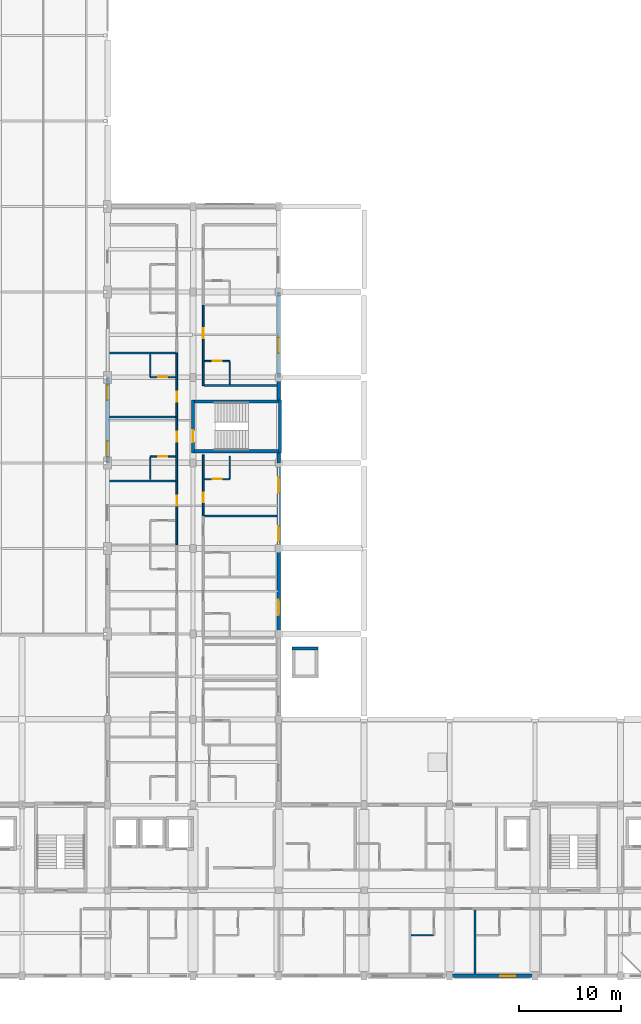
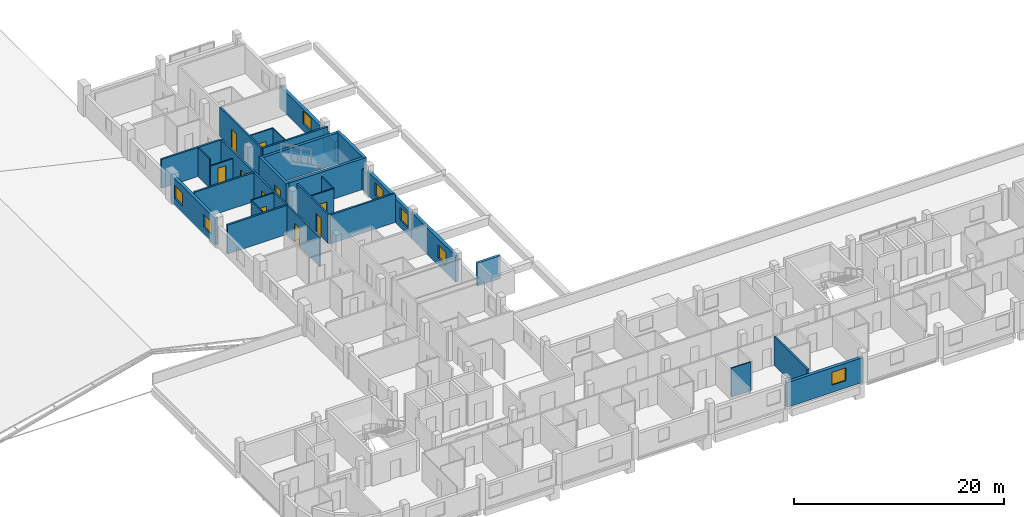
# One storey, part 31 of 42: 32 walls, 10 doors, 7 windows, 17 openings.
"""IFC4 building model written with IfcOpenShell, lengths in metres."""

from ifc_helpers import new_model, si_unit, derived_unit, direction, frame, frame_2d, origin, place, context, subcontext, project, spatial, rectangle, extrude, material, layer, layer_set, type_object, element, fill, save


model = new_model("IFC4")

# Units and contexts
model_context = context("Model", 3, precision=1e-05, world=origin(), true_north=direction((0.0, 1.0)))
body_context = subcontext(model_context, "Body", "Model", "MODEL_VIEW")
ifc_project = project(units=[si_unit("LENGTHUNIT", "METRE"), si_unit("AREAUNIT", "SQUARE_METRE"), si_unit("VOLUMEUNIT", "CUBIC_METRE"), si_unit("PLANEANGLEUNIT", "RADIAN"), si_unit("MASSUNIT", "GRAM", prefix="KILO"), derived_unit("THERMALTRANSMITTANCEUNIT", [(si_unit("POWERUNIT", "WATT"), 1), (si_unit("LENGTHUNIT", "METRE"), -2), (si_unit("THERMODYNAMICTEMPERATUREUNIT", "KELVIN"), -1)])], contexts=[model_context])

# Site, building, storey
site_placement = place(None, origin())
site = spatial("IfcSite", under=ifc_project, at=site_placement, CompositionType="ELEMENT")
building_placement = place(site_placement, origin())
building = spatial("IfcBuilding", under=site, at=building_placement, Name="Barrovel Congress Hotel", CompositionType="ELEMENT")
storey_placement = place(building_placement, frame((0.0, 0.0, 18.300048828125)))
storey = spatial("IfcBuildingStorey", under=building, at=storey_placement, Name="L04", CompositionType="ELEMENT", Elevation=18.300048828125)

# Wall, opening, window
ifc_material_1 = material(Name="Fired Clay Brick Masonry", Category="masonry")
ifc_layer_1 = layer(ifc_material_1, 0.340087890625)
ifc_layer_set_1 = layer_set([ifc_layer_1], Name="Fired Clay Brick Masonry")
wall_type_1 = type_object("IfcWallType", Name="EW-BRK340", PredefinedType="STANDARD", material=ifc_layer_set_1)
wall_1_placement = place(storey_placement, frame((50.39990234375, 37.800048828125, 0.0), z_axis=(0.0, 0.0, 1.0), x_axis=(0.0, 1.0, 0.0)))
wall_1 = element("IfcWall", 1, at=wall_1_placement, inside=storey, type_object=wall_type_1, Name="EW:L04:HW-E-1", PredefinedType="STANDARD", context=body_context, shape_type="SweptSolid", body=[
    extrude(rectangle(XDim=8.39990234375, YDim=0.340087890625, at=frame_2d((4.199951171875, 0.0))), origin(), (0.0, 0.0, 1.0), 3.0751953125),
])
opening_1_placement = place(wall_1_placement, frame((1.85009765625, 0.0, 0.85009765625)))
opening_1 = element("IfcOpeningElement", 2, at=opening_1_placement, cuts=wall_1, Name="Opening WN-07", PredefinedType="OPENING", context=body_context, shape_type="SweptSolid", body=[
    extrude(rectangle(XDim=1.5, YDim=1.5, at=frame_2d((0.75, 0.75))), frame((0.0, 0.18017578125, 0.0), z_axis=(0.0, -1.0, 0.0), x_axis=(1.0, 0.0, 0.0)), (0.0, 0.0, 1.0), 0.360107421875),
])
ifc_material_2 = material(Name="Double Low-E Insulated Glazing", Category="glass")
window_type = type_object("IfcWindowType", Name="WIN-WN-07", PartitioningType="SINGLE_PANEL", PredefinedType="WINDOW", material=ifc_material_2)
window_1_placement = place(opening_1_placement, origin())
window_1 = element("IfcWindow", 3, at=window_1_placement, inside=storey, type_object=window_type, Name="WIN:L04:U44", OverallHeight=1.5, OverallWidth=1.5, PartitioningType="SINGLE_PANEL", PredefinedType="WINDOW", context=body_context, shape_type="SweptSolid", body=[
    extrude(rectangle(XDim=1.5, YDim=1.5, at=frame_2d((0.75, 0.75))), frame((0.0, 0.030029296875, 0.0), z_axis=(0.0, -1.0, 0.0), x_axis=(1.0, 0.0, 0.0)), (0.0, 0.0, 1.0), 0.06005859375),
])
fill(opening_1, window_1)

wall_2_placement = place(storey_placement, frame((67.199951171875, 4.199951171875, 0.0), z_axis=(0.0, 0.0, 1.0), x_axis=(1.0, 0.0, 0.0)))
wall_2 = element("IfcWall", 4, at=wall_2_placement, inside=storey, type_object=wall_type_1, Name="EW:L04:HS-S:P06", PredefinedType="STANDARD", context=body_context, shape_type="SweptSolid", body=[
    extrude(rectangle(XDim=8.400146484375, YDim=0.340087890625, at=frame_2d((4.2001953125, 0.0))), origin(), (0.0, 0.0, 1.0), 2.8798828125),
])
opening_2_placement = place(wall_2_placement, frame((4.96826171875, 0.0, 0.85009765625)))
opening_2 = element("IfcOpeningElement", 5, at=opening_2_placement, cuts=wall_2, Name="Opening WN-07", PredefinedType="OPENING", context=body_context, shape_type="SweptSolid", body=[
    extrude(rectangle(XDim=1.5, YDim=1.5, at=frame_2d((0.75, 0.75))), frame((0.0, 0.18017578125, 0.0), z_axis=(0.0, -1.0, 0.0), x_axis=(1.0, 0.0, 0.0)), (0.0, 0.0, 1.0), 0.360107421875),
])
window_2_placement = place(opening_2_placement, origin())
window_2 = element("IfcWindow", 6, at=window_2_placement, inside=storey, type_object=window_type, Name="WIN:L04:U08", OverallHeight=1.5, OverallWidth=1.5, PartitioningType="SINGLE_PANEL", PredefinedType="WINDOW", context=body_context, shape_type="SweptSolid", body=[
    extrude(rectangle(XDim=1.5, YDim=1.5, at=frame_2d((0.75, 0.75))), frame((0.0, 0.030029296875, 0.0), z_axis=(0.0, -1.0, 0.0), x_axis=(1.0, 0.0, 0.0)), (0.0, 0.0, 1.0), 0.06005859375),
])
fill(opening_2, window_2)

# Wall, openings, windows
wall_3_placement = place(storey_placement, frame((50.39990234375, 46.199951171875, 0.0), z_axis=(0.0, 0.0, 1.0), x_axis=(0.0, 1.0, 0.0)))
wall_3 = element("IfcWall", 7, at=wall_3_placement, inside=storey, type_object=wall_type_1, Name="EW:L04:HW-E-1:P04", PredefinedType="STANDARD", context=body_context, shape_type="SweptSolid", body=[
    extrude(rectangle(XDim=8.400146484375, YDim=0.340087890625, at=frame_2d((4.2001953125, 0.0))), origin(), (0.0, 0.0, 1.0), 2.780029296875),
])
opening_3_placement = place(wall_3_placement, frame((0.699951171875, 0.0, 0.85009765625)))
opening_3 = element("IfcOpeningElement", 8, at=opening_3_placement, cuts=wall_3, Name="Opening WN-07", PredefinedType="OPENING", context=body_context, shape_type="SweptSolid", body=[
    extrude(rectangle(XDim=1.5, YDim=1.5, at=frame_2d((0.75, 0.75))), frame((0.0, 0.18017578125, 0.0), z_axis=(0.0, -1.0, 0.0), x_axis=(1.0, 0.0, 0.0)), (0.0, 0.0, 1.0), 0.360107421875),
])
opening_4_placement = place(wall_3_placement, frame((5.449951171875, 0.0, 0.85009765625)))
opening_4 = element("IfcOpeningElement", 9, at=opening_4_placement, cuts=wall_3, Name="Opening WN-07", PredefinedType="OPENING", context=body_context, shape_type="SweptSolid", body=[
    extrude(rectangle(XDim=1.5, YDim=1.5, at=frame_2d((0.75, 0.75))), frame((0.0, 0.18017578125, 0.0), z_axis=(0.0, -1.0, 0.0), x_axis=(1.0, 0.0, 0.0)), (0.0, 0.0, 1.0), 0.360107421875),
])
window_3_placement = place(opening_3_placement, origin())
window_3 = element("IfcWindow", 10, at=window_3_placement, inside=storey, type_object=window_type, Name="WIN:L04:U45", OverallHeight=1.5, OverallWidth=1.5, PartitioningType="SINGLE_PANEL", PredefinedType="WINDOW", context=body_context, shape_type="SweptSolid", body=[
    extrude(rectangle(XDim=1.5, YDim=1.5, at=frame_2d((0.75, 0.75))), frame((0.0, 0.030029296875, 0.0), z_axis=(0.0, -1.0, 0.0), x_axis=(1.0, 0.0, 0.0)), (0.0, 0.0, 1.0), 0.06005859375),
])
fill(opening_3, window_3)
window_4_placement = place(opening_4_placement, origin())
window_4 = element("IfcWindow", 11, at=window_4_placement, inside=storey, type_object=window_type, Name="WIN:L04:U46", OverallHeight=1.5, OverallWidth=1.5, PartitioningType="SINGLE_PANEL", PredefinedType="WINDOW", context=body_context, shape_type="SweptSolid", body=[
    extrude(rectangle(XDim=1.5, YDim=1.5, at=frame_2d((0.75, 0.75))), frame((0.0, 0.030029296875, 0.0), z_axis=(0.0, -1.0, 0.0), x_axis=(1.0, 0.0, 0.0)), (0.0, 0.0, 1.0), 0.06005859375),
])
fill(opening_4, window_4)

# Walls
wall_4_placement = place(storey_placement, frame((50.39990234375, 54.60009765625, 0.0), z_axis=(0.0, 0.0, 1.0), x_axis=(0.0, 1.0, 0.0)))
element("IfcWall", 12, at=wall_4_placement, inside=storey, type_object=wall_type_1, Name="EW:L04:HW-E-1:P05", PredefinedType="STANDARD", context=body_context, shape_type="SweptSolid", body=[
    extrude(rectangle(XDim=1.0, YDim=0.340087890625, at=frame_2d((0.5, 0.0))), origin(), (0.0, 0.0, 1.0), 2.429931640625),
])
wall_5_placement = place(storey_placement, frame((50.39990234375, 60.800048828125, 0.0), z_axis=(0.0, 0.0, 1.0), x_axis=(0.0, 1.0, 0.0)))
element("IfcWall", 13, at=wall_5_placement, inside=storey, type_object=wall_type_1, Name="EW:L04:HW-E-2:P01", PredefinedType="STANDARD", context=body_context, shape_type="SweptSolid", body=[
    extrude(rectangle(XDim=2.199951171875, YDim=0.340087890625, at=frame_2d((1.10009765625, 0.0))), origin(), (0.0, 0.0, 1.0), 2.429931640625),
])

# Wall, opening, window
wall_6_placement = place(storey_placement, frame((50.39990234375, 63.0, 0.0), z_axis=(0.0, 0.0, 1.0), x_axis=(0.0, 1.0, 0.0)))
wall_6 = element("IfcWall", 14, at=wall_6_placement, inside=storey, type_object=wall_type_1, Name="EW:L04:HW-E-2:P02", PredefinedType="STANDARD", context=body_context, shape_type="SweptSolid", body=[
    extrude(rectangle(XDim=8.39990234375, YDim=0.340087890625, at=frame_2d((4.199951171875, 0.0))), origin(), (0.0, 0.0, 1.0), 2.530029296875),
])
opening_5_placement = place(wall_6_placement, frame((2.39990234375, 0.0, 0.85009765625)))
opening_5 = element("IfcOpeningElement", 15, at=opening_5_placement, cuts=wall_6, Name="Opening WN-07", PredefinedType="OPENING", context=body_context, shape_type="SweptSolid", body=[
    extrude(rectangle(XDim=1.5, YDim=1.5, at=frame_2d((0.75, 0.75))), frame((0.0, 0.18017578125, 0.0), z_axis=(0.0, -1.0, 0.0), x_axis=(1.0, 0.0, 0.0)), (0.0, 0.0, 1.0), 0.360107421875),
])
window_5_placement = place(opening_5_placement, origin())
window_5 = element("IfcWindow", 16, at=window_5_placement, inside=storey, type_object=window_type, Name="WIN:L04:U47", OverallHeight=1.5, OverallWidth=1.5, PartitioningType="SINGLE_PANEL", PredefinedType="WINDOW", context=body_context, shape_type="SweptSolid", body=[
    extrude(rectangle(XDim=1.5, YDim=1.5, at=frame_2d((0.75, 0.75))), frame((0.0, 0.030029296875, 0.0), z_axis=(0.0, -1.0, 0.0), x_axis=(1.0, 0.0, 0.0)), (0.0, 0.0, 1.0), 0.06005859375),
])
fill(opening_5, window_5)

# Wall, openings, windows
wall_7_placement = place(storey_placement, frame((33.60009765625, 63.0, 0.0), z_axis=(0.0, 0.0, 1.0), x_axis=(0.0, -1.0, 0.0)))
wall_7 = element("IfcWall", 17, at=wall_7_placement, inside=storey, type_object=wall_type_1, Name="EW:L04:HW-W:P02", PredefinedType="STANDARD", context=body_context, shape_type="SweptSolid", body=[
    extrude(rectangle(XDim=8.39990234375, YDim=0.340087890625, at=frame_2d((4.199951171875, 0.0))), origin(), (0.0, 0.0, 1.0), 3.133056640625),
])
opening_6_placement = place(wall_7_placement, frame((6.26123046875, 0.0, 0.85009765625)))
opening_6 = element("IfcOpeningElement", 18, at=opening_6_placement, cuts=wall_7, Name="Opening WN-07", PredefinedType="OPENING", context=body_context, shape_type="SweptSolid", body=[
    extrude(rectangle(XDim=1.5, YDim=1.5, at=frame_2d((0.75, 0.75))), frame((0.0, 0.18017578125, 0.0), z_axis=(0.0, -1.0, 0.0), x_axis=(1.0, 0.0, 0.0)), (0.0, 0.0, 1.0), 0.360107421875),
])
opening_7_placement = place(wall_7_placement, frame((0.722412109375, 0.0, 0.85009765625)))
opening_7 = element("IfcOpeningElement", 19, at=opening_7_placement, cuts=wall_7, Name="Opening WN-07", PredefinedType="OPENING", context=body_context, shape_type="SweptSolid", body=[
    extrude(rectangle(XDim=1.5, YDim=1.5, at=frame_2d((0.75, 0.75))), frame((0.0, 0.18017578125, 0.0), z_axis=(0.0, -1.0, 0.0), x_axis=(1.0, 0.0, 0.0)), (0.0, 0.0, 1.0), 0.360107421875),
])
window_6_placement = place(opening_6_placement, origin())
window_6 = element("IfcWindow", 20, at=window_6_placement, inside=storey, type_object=window_type, Name="WIN:L04:U38", OverallHeight=1.5, OverallWidth=1.5, PartitioningType="SINGLE_PANEL", PredefinedType="WINDOW", context=body_context, shape_type="SweptSolid", body=[
    extrude(rectangle(XDim=1.5, YDim=1.5, at=frame_2d((0.75, 0.75))), frame((0.0, 0.030029296875, 0.0), z_axis=(0.0, -1.0, 0.0), x_axis=(1.0, 0.0, 0.0)), (0.0, 0.0, 1.0), 0.06005859375),
])
fill(opening_6, window_6)
window_7_placement = place(opening_7_placement, origin())
window_7 = element("IfcWindow", 21, at=window_7_placement, inside=storey, type_object=window_type, Name="WIN:L04:U39", OverallHeight=1.5, OverallWidth=1.5, PartitioningType="SINGLE_PANEL", PredefinedType="WINDOW", context=body_context, shape_type="SweptSolid", body=[
    extrude(rectangle(XDim=1.5, YDim=1.5, at=frame_2d((0.75, 0.75))), frame((0.0, 0.030029296875, 0.0), z_axis=(0.0, -1.0, 0.0), x_axis=(1.0, 0.0, 0.0)), (0.0, 0.0, 1.0), 0.06005859375),
])
fill(opening_7, window_7)

# Wall, opening, door
ifc_material_3 = material(Name="Gypsum Acoustic Stud", Category="gypsum")
ifc_layer_2 = layer(ifc_material_3, 0.179931640625)
ifc_layer_set_2 = layer_set([ifc_layer_2], Name="Gypsum Acoustic Stud")
wall_type_2 = type_object("IfcWallType", Name="PW-ACU-180", PredefinedType="PARTITIONING", material=ifc_layer_set_2)
wall_8_placement = place(storey_placement, frame((40.39990234375, 46.5556640625, 0.0), z_axis=(0.0, 0.0, 1.0), x_axis=(0.0, 1.0, 0.0)))
wall_8 = element("IfcWall", 22, at=wall_8_placement, inside=storey, type_object=wall_type_2, Name="PW:L04:U37:COR", PredefinedType="PARTITIONING", context=body_context, shape_type="SweptSolid", body=[
    extrude(rectangle(XDim=6.288818359375, YDim=0.179931640625, at=frame_2d((3.14453125, 0.0))), origin(), (0.0, 0.0, 1.0), 3.375),
])
opening_8_placement = place(wall_8_placement, frame((3.849365234375, 0.0, 0.0)))
opening_8 = element("IfcOpeningElement", 23, at=opening_8_placement, cuts=wall_8, Name="Opening ID-HTL", PredefinedType="OPENING", context=body_context, shape_type="SweptSolid", body=[
    extrude(rectangle(XDim=0.9599609375, YDim=2.14990234375, at=frame_2d((0.47998046875, 1.074951171875))), frame((0.0, 0.10009765625, 0.0), z_axis=(0.0, -1.0, 0.0), x_axis=(1.0, 0.0, 0.0)), (0.0, 0.0, 1.0), 0.199951171875),
])
ifc_material_4 = material(Name="Solid Oak Acoustic Timber Door", Category="wood")
door_type_1 = type_object("IfcDoorType", Name="IDR-ID-HTL", OperationType="NOTDEFINED", PredefinedType="DOOR", material=ifc_material_4)
door_1_placement = place(opening_8_placement, origin())
door_1 = element("IfcDoor", 24, at=door_1_placement, inside=storey, type_object=door_type_1, Name="DR:L04:U37:ENT", OperationType="SINGLE_SWING_RIGHT", OverallHeight=2.14990234375, OverallWidth=0.9599609375, PredefinedType="DOOR", context=body_context, shape_type="SweptSolid", body=[
    extrude(rectangle(XDim=0.9599609375, YDim=2.14990234375, at=frame_2d((0.47998046875, 1.074951171875))), frame((0.0, 0.02490234375, 0.0), z_axis=(0.0, -1.0, 0.0), x_axis=(1.0, 0.0, 0.0)), (0.0, 0.0, 1.0), 0.050048828125),
])
fill(opening_8, door_1)

wall_9_placement = place(storey_placement, frame((40.39990234375, 52.844482421875, 0.0), z_axis=(0.0, 0.0, 1.0), x_axis=(0.0, 1.0, 0.0)))
wall_9 = element("IfcWall", 25, at=wall_9_placement, inside=storey, type_object=wall_type_2, Name="PW:L04:U38:COR", PredefinedType="PARTITIONING", context=body_context, shape_type="SweptSolid", body=[
    extrude(rectangle(XDim=6.288818359375, YDim=0.179931640625, at=frame_2d((3.14453125, 0.0))), origin(), (0.0, 0.0, 1.0), 3.375),
])
opening_9_placement = place(wall_9_placement, frame((3.849609375, 0.0, 0.0)))
opening_9 = element("IfcOpeningElement", 26, at=opening_9_placement, cuts=wall_9, Name="Opening ID-HTL", PredefinedType="OPENING", context=body_context, shape_type="SweptSolid", body=[
    extrude(rectangle(XDim=0.9599609375, YDim=2.14990234375, at=frame_2d((0.47998046875, 1.074951171875))), frame((0.0, 0.10009765625, 0.0), z_axis=(0.0, -1.0, 0.0), x_axis=(1.0, 0.0, 0.0)), (0.0, 0.0, 1.0), 0.199951171875),
])
door_2_placement = place(opening_9_placement, origin())
door_2 = element("IfcDoor", 27, at=door_2_placement, inside=storey, type_object=door_type_1, Name="DR:L04:U38:ENT", OperationType="SINGLE_SWING_RIGHT", OverallHeight=2.14990234375, OverallWidth=0.9599609375, PredefinedType="DOOR", context=body_context, shape_type="SweptSolid", body=[
    extrude(rectangle(XDim=0.9599609375, YDim=2.14990234375, at=frame_2d((0.47998046875, 1.074951171875))), frame((0.0, 0.02490234375, 0.0), z_axis=(0.0, -1.0, 0.0), x_axis=(1.0, 0.0, 0.0)), (0.0, 0.0, 1.0), 0.050048828125),
])
fill(opening_9, door_2)

wall_10_placement = place(storey_placement, frame((40.39990234375, 59.13330078125, 0.0), z_axis=(0.0, 0.0, 1.0), x_axis=(0.0, 1.0, 0.0)))
wall_10 = element("IfcWall", 28, at=wall_10_placement, inside=storey, type_object=wall_type_2, Name="PW:L04:U39:COR", PredefinedType="PARTITIONING", context=body_context, shape_type="SweptSolid", body=[
    extrude(rectangle(XDim=6.288818359375, YDim=0.179931640625, at=frame_2d((3.14453125, 0.0))), origin(), (0.0, 0.0, 1.0), 3.375),
])
opening_10_placement = place(wall_10_placement, frame((1.4794921875, 0.0, 0.0)))
opening_10 = element("IfcOpeningElement", 29, at=opening_10_placement, cuts=wall_10, Name="Opening ID-HTL", PredefinedType="OPENING", context=body_context, shape_type="SweptSolid", body=[
    extrude(rectangle(XDim=0.9599609375, YDim=2.14990234375, at=frame_2d((0.47998046875, 1.074951171875))), frame((0.0, 0.10009765625, 0.0), z_axis=(0.0, -1.0, 0.0), x_axis=(1.0, 0.0, 0.0)), (0.0, 0.0, 1.0), 0.199951171875),
])
door_3_placement = place(opening_10_placement, origin())
door_3 = element("IfcDoor", 30, at=door_3_placement, inside=storey, type_object=door_type_1, Name="DR:L04:U39:ENT", OperationType="SINGLE_SWING_RIGHT", OverallHeight=2.14990234375, OverallWidth=0.9599609375, PredefinedType="DOOR", context=body_context, shape_type="SweptSolid", body=[
    extrude(rectangle(XDim=0.9599609375, YDim=2.14990234375, at=frame_2d((0.47998046875, 1.074951171875))), frame((0.0, 0.02490234375, 0.0), z_axis=(0.0, -1.0, 0.0), x_axis=(1.0, 0.0, 0.0)), (0.0, 0.0, 1.0), 0.050048828125),
])
fill(opening_10, door_3)

wall_11_placement = place(storey_placement, frame((43.0, 49.39990234375, 0.0), z_axis=(0.0, 0.0, 1.0), x_axis=(0.0, 1.0, 0.0)))
wall_11 = element("IfcWall", 31, at=wall_11_placement, inside=storey, type_object=wall_type_2, Name="PW:L04:U46:COR", PredefinedType="PARTITIONING", context=body_context, shape_type="SweptSolid", body=[
    extrude(rectangle(XDim=6.0, YDim=0.179931640625, at=frame_2d((3.0, 0.0))), origin(), (0.0, 0.0, 1.0), 3.375),
])
opening_11_placement = place(wall_11_placement, frame((1.3349609375, 0.0, 0.0)))
opening_11 = element("IfcOpeningElement", 32, at=opening_11_placement, cuts=wall_11, Name="Opening ID-HTL", PredefinedType="OPENING", context=body_context, shape_type="SweptSolid", body=[
    extrude(rectangle(XDim=0.9599609375, YDim=2.14990234375, at=frame_2d((0.47998046875, 1.074951171875))), frame((0.0, 0.10009765625, 0.0), z_axis=(0.0, -1.0, 0.0), x_axis=(1.0, 0.0, 0.0)), (0.0, 0.0, 1.0), 0.199951171875),
])
door_4_placement = place(opening_11_placement, origin())
door_4 = element("IfcDoor", 33, at=door_4_placement, inside=storey, type_object=door_type_1, Name="DR:L04:U46:ENT", OperationType="SINGLE_SWING_RIGHT", OverallHeight=2.14990234375, OverallWidth=0.9599609375, PredefinedType="DOOR", context=body_context, shape_type="SweptSolid", body=[
    extrude(rectangle(XDim=0.9599609375, YDim=2.14990234375, at=frame_2d((0.47998046875, 1.074951171875))), frame((0.0, 0.02490234375, 0.0), z_axis=(0.0, -1.0, 0.0), x_axis=(1.0, 0.0, 0.0)), (0.0, 0.0, 1.0), 0.050048828125),
])
fill(opening_11, door_4)

wall_12_placement = place(storey_placement, frame((43.0, 62.199951171875, 0.0), z_axis=(0.0, 0.0, 1.0), x_axis=(0.0, 1.0, 0.0)))
wall_12 = element("IfcWall", 34, at=wall_12_placement, inside=storey, type_object=wall_type_2, Name="PW:L04:U47:COR", PredefinedType="PARTITIONING", context=body_context, shape_type="SweptSolid", body=[
    extrude(rectangle(XDim=7.900146484375, YDim=0.179931640625, at=frame_2d((3.9501953125, 0.0))), origin(), (0.0, 0.0, 1.0), 3.375),
])
opening_12_placement = place(wall_12_placement, frame((4.655029296875, 0.0, 0.0)))
opening_12 = element("IfcOpeningElement", 35, at=opening_12_placement, cuts=wall_12, Name="Opening ID-HTL", PredefinedType="OPENING", context=body_context, shape_type="SweptSolid", body=[
    extrude(rectangle(XDim=0.9599609375, YDim=2.14990234375, at=frame_2d((0.47998046875, 1.074951171875))), frame((0.0, 0.10009765625, 0.0), z_axis=(0.0, -1.0, 0.0), x_axis=(1.0, 0.0, 0.0)), (0.0, 0.0, 1.0), 0.199951171875),
])
door_5_placement = place(opening_12_placement, origin())
door_5 = element("IfcDoor", 36, at=door_5_placement, inside=storey, type_object=door_type_1, Name="DR:L04:U47:ENT", OperationType="SINGLE_SWING_RIGHT", OverallHeight=2.14990234375, OverallWidth=0.9599609375, PredefinedType="DOOR", context=body_context, shape_type="SweptSolid", body=[
    extrude(rectangle(XDim=0.9599609375, YDim=2.14990234375, at=frame_2d((0.47998046875, 1.074951171875))), frame((0.0, 0.02490234375, 0.0), z_axis=(0.0, -1.0, 0.0), x_axis=(1.0, 0.0, 0.0)), (0.0, 0.0, 1.0), 0.050048828125),
])
fill(opening_12, door_5)

# Walls
ifc_layer_3 = layer(ifc_material_3, 0.1201171875)
ifc_layer_set_3 = layer_set([ifc_layer_3], Name="Gypsum Acoustic Stud")
wall_type_3 = type_object("IfcWallType", Name="PW-INT-120", PredefinedType="PARTITIONING", material=ifc_layer_set_3)
for number, where, z_axis, x_axis, name in (
    (37, (63.430908203125, 8.199951171875, 0.0), (0.0, 0.0, 1.0), (1.0, 0.0, 0.0), "PW:L04:U07:B2"),
    (38, (37.800048828125, 52.984375, 0.0), (0.0, 0.0, 1.0), (0.0, 1.0, 0.0), "PW:L04:U38:B2"),
    (39, (37.800048828125, 63.09228515625, 0.0), (0.0, 0.0, 1.0), (0.0, 1.0, 0.0), "PW:L04:U39:B2"),
    (40, (45.60009765625, 53.070068359375, 0.0), (0.0, 0.0, 1.0), (0.0, 1.0, 0.0), "PW:L04:U46:B2"),
    (41, (45.60009765625, 62.340087890625, 0.0), (0.0, 0.0, 1.0), (0.0, 1.0, 0.0), "PW:L04:U47:B2"),
):
    element("IfcWall", number, at=place(storey_placement, frame(where, z_axis=z_axis, x_axis=x_axis)), inside=storey, type_object=wall_type_3, Name=name, PredefinedType="PARTITIONING", context=body_context, shape_type="SweptSolid", body=[
        extrude(rectangle(XDim=2.18994140625, YDim=0.1201171875, at=frame_2d((1.094970703125, 0.0))), origin(), (0.0, 0.0, 1.0), 3.375),
    ])
ifc_layer_4 = layer(ifc_material_1, 0.199951171875)
ifc_layer_set_4 = layer_set([ifc_layer_4], Name="Fired Clay Brick Masonry")
wall_type_4 = type_object("IfcWallType", Name="PW-MAS-200", PredefinedType="PARTITIONING", material=ifc_layer_set_4)
wall_13_placement = place(storey_placement, frame((69.708984375, 4.3701171875, 0.0), z_axis=(0.0, 0.0, 1.0), x_axis=(0.0, 1.0, 0.0)))
element("IfcWall", 42, at=wall_13_placement, inside=storey, type_object=wall_type_4, Name="PW:L04:U07:DEM", PredefinedType="PARTITIONING", context=body_context, shape_type="SweptSolid", body=[
    extrude(rectangle(XDim=6.33984375, YDim=0.199951171875, at=frame_2d((3.169921875, 0.0))), origin(), (0.0, 0.0, 1.0), 3.375),
])
for number, where, z_axis, x_axis, name in (
    (43, (33.77001953125, 52.844482421875, 0.0), (0.0, 0.0, 1.0), (1.0, 0.0, 0.0), "PW:L04:U37:DEM"),
    (44, (33.77001953125, 59.13330078125, 0.0), (0.0, 0.0, 1.0), (1.0, 0.0, 0.0), "PW:L04:U38:DEM"),
    (45, (33.77001953125, 65.422119140625, 0.0), (0.0, 0.0, 1.0), (1.0, 0.0, 0.0), "PW:L04:U39:DEM"),
):
    element("IfcWall", number, at=place(storey_placement, frame(where, z_axis=z_axis, x_axis=x_axis)), inside=storey, type_object=wall_type_4, Name=name, PredefinedType="PARTITIONING", context=body_context, shape_type="SweptSolid", body=[
        extrude(rectangle(XDim=6.5400390625, YDim=0.199951171875, at=frame_2d((3.27001953125, 0.0))), origin(), (0.0, 0.0, 1.0), 3.375),
    ])
for number, where, z_axis, x_axis, name in (
    (46, (43.090087890625, 49.39990234375, 0.0), (0.0, 0.0, 1.0), (1.0, 0.0, 0.0), "PW:L04:U45:DEM"),
    (47, (43.090087890625, 62.199951171875, 0.0), (0.0, 0.0, 1.0), (1.0, 0.0, 0.0), "PW:L04:U47:DEM0"),
):
    element("IfcWall", number, at=place(storey_placement, frame(where, z_axis=z_axis, x_axis=x_axis)), inside=storey, type_object=wall_type_4, Name=name, PredefinedType="PARTITIONING", context=body_context, shape_type="SweptSolid", body=[
        extrude(rectangle(XDim=7.139892578125, YDim=0.199951171875, at=frame_2d((3.56982421875, 0.0))), origin(), (0.0, 0.0, 1.0), 3.375),
    ])

# Wall, opening, door
ifc_material_5 = material(Name="Gypsum Moisture Board", Category="gypsum")
ifc_layer_5 = layer(ifc_material_5, 0.139892578125)
ifc_layer_set_5 = layer_set([ifc_layer_5], Name="Gypsum Moisture Board")
wall_type_5 = type_object("IfcWallType", Name="PW-WET-140", PredefinedType="PARTITIONING", material=ifc_layer_set_5)
wall_14_placement = place(storey_placement, frame((37.800048828125, 55.244384765625, 0.0), z_axis=(0.0, 0.0, 1.0), x_axis=(1.0, 0.0, 0.0)))
wall_14 = element("IfcWall", 48, at=wall_14_placement, inside=storey, type_object=wall_type_5, Name="PW:L04:U38:B1", PredefinedType="PARTITIONING", context=body_context, shape_type="SweptSolid", body=[
    extrude(rectangle(XDim=2.4599609375, YDim=0.139892578125, at=frame_2d((1.22998046875, 0.0))), origin(), (0.0, 0.0, 1.0), 3.375),
])
opening_13_placement = place(wall_14_placement, frame((0.800048828125, 0.0, 0.0)))
opening_13 = element("IfcOpeningElement", 49, at=opening_13_placement, cuts=wall_14, Name="Opening ID-ENS", PredefinedType="OPENING", context=body_context, shape_type="SweptSolid", body=[
    extrude(rectangle(XDim=0.860107421875, YDim=2.10009765625, at=frame_2d((0.43017578125, 1.050048828125))), frame((0.0, 0.080078125, 0.0), z_axis=(0.0, -1.0, 0.0), x_axis=(1.0, 0.0, 0.0)), (0.0, 0.0, 1.0), 0.159912109375),
])
ifc_material_6 = material(Name="Lacquered Timber Moisture Door", Category="wood")
door_type_2 = type_object("IfcDoorType", Name="IDR-ID-ENS", OperationType="NOTDEFINED", PredefinedType="DOOR", material=ifc_material_6)
door_6_placement = place(opening_13_placement, origin())
door_6 = element("IfcDoor", 50, at=door_6_placement, inside=storey, type_object=door_type_2, Name="DR:L04:U38:ENS", OperationType="SINGLE_SWING_LEFT", OverallHeight=2.10009765625, OverallWidth=0.860107421875, PredefinedType="DOOR", context=body_context, shape_type="SweptSolid", body=[
    extrude(rectangle(XDim=0.860107421875, YDim=2.10009765625, at=frame_2d((0.43017578125, 1.050048828125))), frame((0.0, 0.02490234375, 0.0), z_axis=(0.0, -1.0, 0.0), x_axis=(1.0, 0.0, 0.0)), (0.0, 0.0, 1.0), 0.050048828125),
])
fill(opening_13, door_6)

wall_15_placement = place(storey_placement, frame((37.800048828125, 63.022216796875, 0.0), z_axis=(0.0, 0.0, 1.0), x_axis=(1.0, 0.0, 0.0)))
wall_15 = element("IfcWall", 51, at=wall_15_placement, inside=storey, type_object=wall_type_5, Name="PW:L04:U39:B1", PredefinedType="PARTITIONING", context=body_context, shape_type="SweptSolid", body=[
    extrude(rectangle(XDim=2.4599609375, YDim=0.139892578125, at=frame_2d((1.22998046875, 0.0))), origin(), (0.0, 0.0, 1.0), 2.6298828125),
])
opening_14_placement = place(wall_15_placement, frame((0.800048828125, 0.0, 0.0)))
opening_14 = element("IfcOpeningElement", 52, at=opening_14_placement, cuts=wall_15, Name="Opening ID-ENS", PredefinedType="OPENING", context=body_context, shape_type="SweptSolid", body=[
    extrude(rectangle(XDim=0.860107421875, YDim=2.10009765625, at=frame_2d((0.43017578125, 1.050048828125))), frame((0.0, 0.080078125, 0.0), z_axis=(0.0, -1.0, 0.0), x_axis=(1.0, 0.0, 0.0)), (0.0, 0.0, 1.0), 0.159912109375),
])
door_7_placement = place(opening_14_placement, origin())
door_7 = element("IfcDoor", 53, at=door_7_placement, inside=storey, type_object=door_type_2, Name="DR:L04:U39:ENS", OperationType="SINGLE_SWING_LEFT", OverallHeight=2.10009765625, OverallWidth=0.860107421875, PredefinedType="DOOR", context=body_context, shape_type="SweptSolid", body=[
    extrude(rectangle(XDim=0.860107421875, YDim=2.10009765625, at=frame_2d((0.43017578125, 1.050048828125))), frame((0.0, 0.02490234375, 0.0), z_axis=(0.0, -1.0, 0.0), x_axis=(1.0, 0.0, 0.0)), (0.0, 0.0, 1.0), 0.050048828125),
])
fill(opening_14, door_7)

wall_16_placement = place(storey_placement, frame((43.139892578125, 53.0, 0.0), z_axis=(0.0, 0.0, 1.0), x_axis=(1.0, 0.0, 0.0)))
wall_16 = element("IfcWall", 54, at=wall_16_placement, inside=storey, type_object=wall_type_5, Name="PW:L04:U46:B1", PredefinedType="PARTITIONING", context=body_context, shape_type="SweptSolid", body=[
    extrude(rectangle(XDim=2.460205078125, YDim=0.139892578125, at=frame_2d((1.22998046875, 0.0))), origin(), (0.0, 0.0, 1.0), 3.375),
])
opening_15_placement = place(wall_16_placement, frame((0.800048828125, 0.0, 0.0)))
opening_15 = element("IfcOpeningElement", 55, at=opening_15_placement, cuts=wall_16, Name="Opening ID-ENS", PredefinedType="OPENING", context=body_context, shape_type="SweptSolid", body=[
    extrude(rectangle(XDim=0.860107421875, YDim=2.10009765625, at=frame_2d((0.43017578125, 1.050048828125))), frame((0.0, 0.080078125, 0.0), z_axis=(0.0, -1.0, 0.0), x_axis=(1.0, 0.0, 0.0)), (0.0, 0.0, 1.0), 0.159912109375),
])
door_8_placement = place(opening_15_placement, origin())
door_8 = element("IfcDoor", 56, at=door_8_placement, inside=storey, type_object=door_type_2, Name="DR:L04:U46:ENS", OperationType="SINGLE_SWING_LEFT", OverallHeight=2.10009765625, OverallWidth=0.860107421875, PredefinedType="DOOR", context=body_context, shape_type="SweptSolid", body=[
    extrude(rectangle(XDim=0.860107421875, YDim=2.10009765625, at=frame_2d((0.43017578125, 1.050048828125))), frame((0.0, 0.02490234375, 0.0), z_axis=(0.0, -1.0, 0.0), x_axis=(1.0, 0.0, 0.0)), (0.0, 0.0, 1.0), 0.050048828125),
])
fill(opening_15, door_8)

wall_17_placement = place(storey_placement, frame((43.139892578125, 64.60009765625, 0.0), z_axis=(0.0, 0.0, 1.0), x_axis=(1.0, 0.0, 0.0)))
wall_17 = element("IfcWall", 57, at=wall_17_placement, inside=storey, type_object=wall_type_5, Name="PW:L04:U47:B1", PredefinedType="PARTITIONING", context=body_context, shape_type="SweptSolid", body=[
    extrude(rectangle(XDim=2.460205078125, YDim=0.139892578125, at=frame_2d((1.22998046875, 0.0))), origin(), (0.0, 0.0, 1.0), 3.375),
])
opening_16_placement = place(wall_17_placement, frame((0.800048828125, 0.0, 0.0)))
opening_16 = element("IfcOpeningElement", 58, at=opening_16_placement, cuts=wall_17, Name="Opening ID-ENS", PredefinedType="OPENING", context=body_context, shape_type="SweptSolid", body=[
    extrude(rectangle(XDim=0.860107421875, YDim=2.10009765625, at=frame_2d((0.43017578125, 1.050048828125))), frame((0.0, 0.080078125, 0.0), z_axis=(0.0, -1.0, 0.0), x_axis=(1.0, 0.0, 0.0)), (0.0, 0.0, 1.0), 0.159912109375),
])
door_9_placement = place(opening_16_placement, origin())
door_9 = element("IfcDoor", 59, at=door_9_placement, inside=storey, type_object=door_type_2, Name="DR:L04:U47:ENS", OperationType="SINGLE_SWING_LEFT", OverallHeight=2.10009765625, OverallWidth=0.860107421875, PredefinedType="DOOR", context=body_context, shape_type="SweptSolid", body=[
    extrude(rectangle(XDim=0.860107421875, YDim=2.10009765625, at=frame_2d((0.43017578125, 1.050048828125))), frame((0.0, 0.02490234375, 0.0), z_axis=(0.0, -1.0, 0.0), x_axis=(1.0, 0.0, 0.0)), (0.0, 0.0, 1.0), 0.050048828125),
])
fill(opening_16, door_9)

# Walls
ifc_material_7 = material(Name="Concrete C40", Category="concrete")
ifc_layer_6 = layer(ifc_material_7, 0.280029296875)
ifc_layer_set_6 = layer_set([ifc_layer_6], Name="Concrete C40")
wall_type_6 = type_object("IfcWallType", Name="SW-C40-280", PredefinedType="SHEAR", material=ifc_layer_set_6)
wall_18_placement = place(storey_placement, frame((54.260009765625, 36.3701171875, 0.0), z_axis=(0.0, 0.0, 1.0), x_axis=(-1.0, 0.0, 0.0)))
element("IfcWall", 60, at=wall_18_placement, inside=storey, type_object=wall_type_6, Name="LSH:CL-1:OVR:N", PredefinedType="SHEAR", context=body_context, shape_type="SweptSolid", body=[
    extrude(rectangle(XDim=2.52001953125, YDim=0.280029296875, at=frame_2d((1.260009765625, 0.0))), origin(), (0.0, 0.0, 1.0), 2.64990234375),
])
ifc_layer_7 = layer(ifc_material_7, 0.300048828125)
ifc_layer_set_7 = layer_set([ifc_layer_7], Name="Concrete C40")
wall_type_7 = type_object("IfcWallType", Name="SW-C40-300", PredefinedType="SHEAR", material=ifc_layer_set_7)
wall_19_placement = place(storey_placement, frame((41.860107421875, 55.75, 0.0), z_axis=(0.0, 0.0, 1.0), x_axis=(1.0, 0.0, 0.0)))
element("IfcWall", 61, at=wall_19_placement, inside=storey, type_object=wall_type_7, Name="SHW:XS-05:L04:S", PredefinedType="SHEAR", context=body_context, shape_type="SweptSolid", body=[
    extrude(rectangle(XDim=8.83984375, YDim=0.300048828125, at=frame_2d((4.419921875, 0.0))), origin(), (0.0, 0.0, 1.0), 3.599853515625),
])
wall_20_placement = place(storey_placement, frame((50.550048828125, 55.60009765625, 0.0), z_axis=(0.0, 0.0, 1.0), x_axis=(0.0, 1.0, 0.0)))
element("IfcWall", 62, at=wall_20_placement, inside=storey, type_object=wall_type_7, Name="SHW:XS-05:L04:E", PredefinedType="SHEAR", context=body_context, shape_type="SweptSolid", body=[
    extrude(rectangle(XDim=5.199951171875, YDim=0.300048828125, at=frame_2d((2.60009765625, 0.0))), origin(), (0.0, 0.0, 1.0), 3.599853515625),
])
wall_21_placement = place(storey_placement, frame((50.699951171875, 60.64990234375, 0.0), z_axis=(0.0, 0.0, 1.0), x_axis=(-1.0, 0.0, 0.0)))
element("IfcWall", 63, at=wall_21_placement, inside=storey, type_object=wall_type_7, Name="SHW:XS-05:L04:N", PredefinedType="SHEAR", context=body_context, shape_type="SweptSolid", body=[
    extrude(rectangle(XDim=8.83984375, YDim=0.300048828125, at=frame_2d((4.419921875, 0.0))), origin(), (0.0, 0.0, 1.0), 3.599853515625),
])

# Wall, opening, door
wall_22_placement = place(storey_placement, frame((42.010009765625, 60.800048828125, 0.0), z_axis=(0.0, 0.0, 1.0), x_axis=(0.0, -1.0, 0.0)))
wall_22 = element("IfcWall", 64, at=wall_22_placement, inside=storey, type_object=wall_type_7, Name="SHW:XS-05:L04:W", PredefinedType="SHEAR", context=body_context, shape_type="SweptSolid", body=[
    extrude(rectangle(XDim=5.199951171875, YDim=0.300048828125, at=frame_2d((2.60009765625, 0.0))), origin(), (0.0, 0.0, 1.0), 3.599853515625),
])
opening_17_placement = place(wall_22_placement, frame((3.0, 0.0, 0.0)))
opening_17 = element("IfcOpeningElement", 65, at=opening_17_placement, cuts=wall_22, Name="Opening ID-ST1", PredefinedType="OPENING", context=body_context, shape_type="SweptSolid", body=[
    extrude(rectangle(XDim=1.14990234375, YDim=2.14990234375, at=frame_2d((0.574951171875, 1.074951171875))), frame((0.0, 0.16015625, 0.0), z_axis=(0.0, -1.0, 0.0), x_axis=(1.0, 0.0, 0.0)), (0.0, 0.0, 1.0), 0.320068359375),
])
ifc_material_8 = material(Name="Painted Hollow-Metal Steel Door", Category="steel")
door_type_3 = type_object("IfcDoorType", Name="IDR-ID-ST1", OperationType="NOTDEFINED", PredefinedType="DOOR", material=ifc_material_8)
door_10_placement = place(opening_17_placement, origin())
door_10 = element("IfcDoor", 66, at=door_10_placement, inside=storey, type_object=door_type_3, Name="Stair Core Fire Door XS-05-L04", OperationType="SINGLE_SWING_LEFT", OverallHeight=2.14990234375, OverallWidth=1.14990234375, PredefinedType="DOOR", context=body_context, shape_type="SweptSolid", body=[
    extrude(rectangle(XDim=1.14990234375, YDim=2.14990234375, at=frame_2d((0.574951171875, 1.074951171875))), frame((0.0, 0.02490234375, 0.0), z_axis=(0.0, -1.0, 0.0), x_axis=(1.0, 0.0, 0.0)), (0.0, 0.0, 1.0), 0.050048828125),
])
fill(opening_17, door_10)

save(model, "model.ifc")
